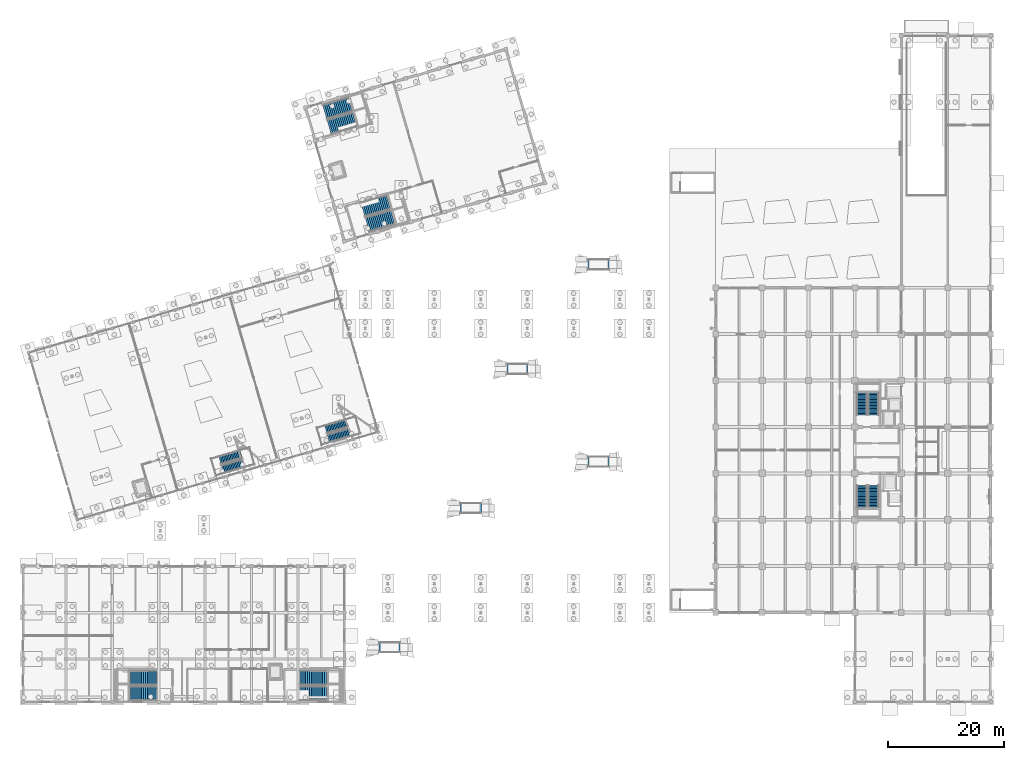
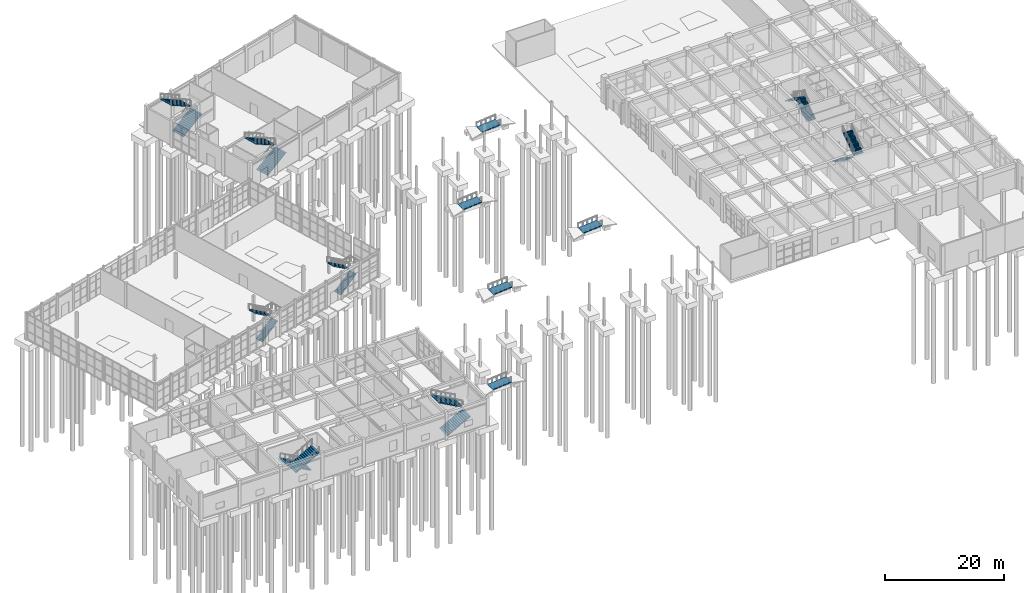
# One storey, part 79 of 90: 16 stair flights, 5 ramp flights, 13 elements without a shape of their own.
"""IFC4 building model written with IfcOpenShell, lengths in metres."""

from ifc_helpers import new_model, si_unit, direction, frame, origin, place, context, subcontext, project, spatial, polyline, outline, extrude, material, layer, layer_set, type_object, element, aggregate, save


model = new_model("IFC4")

# Units and contexts
model_context = context("Model", 3, precision=1e-05, world=origin(), true_north=direction((0.0, 1.0)))
body_context = subcontext(model_context, "Body", "Model", "MODEL_VIEW")
ifc_project = project(units=[si_unit("LENGTHUNIT", "METRE"), si_unit("AREAUNIT", "SQUARE_METRE"), si_unit("VOLUMEUNIT", "CUBIC_METRE"), si_unit("PLANEANGLEUNIT", "RADIAN"), si_unit("MASSUNIT", "GRAM", prefix="KILO")], contexts=[model_context])

# Site, building, storey
site_placement = place(None, origin())
site = spatial("IfcSite", under=ifc_project, at=site_placement, CompositionType="ELEMENT")
building_placement = place(site_placement, origin())
building = spatial("IfcBuilding", under=site, at=building_placement, Name="Canggui Botanical Conservatory", CompositionType="ELEMENT")
storey_placement = place(building_placement, origin())
storey = spatial("IfcBuildingStorey", under=building, at=storey_placement, Name="L01", CompositionType="ELEMENT", Elevation=0.0)

# Stair, stair flights
ifc_material = material(Name="Concrete C35", Category="concrete")
stair_type_1 = type_object("IfcStairType", Name="STR-TYPE-1", PredefinedType="HALF_TURN_STAIR", material=ifc_material)
stair_1_placement = place(storey_placement, origin())
stair_1 = element("IfcStair", 1, at=stair_1_placement, inside=storey, type_object=stair_type_1, Name="L01 Conservatory South Skywalk Stair ST-C1", PredefinedType="HALF_TURN_STAIR")
stair_flight_type_1 = type_object("IfcStairFlightType", Name="SFL-TYPE-1", PredefinedType="STRAIGHT", material=ifc_material)
stair_flight_1_placement = place(storey_placement, frame((45.02099609375, 50.677978515625, 0.0), z_axis=(0.0, 0.0, 1.0), x_axis=(0.959999998575, 0.280000004887, 0.0)))
stair_flight_1 = element("IfcStairFlight", 2, at=stair_flight_1_placement, type_object=stair_flight_type_1, Name="ST-C1 flight 1", NumberOfRisers=15, NumberOfTreads=14, PredefinedType="STRAIGHT", RiserHeight=0.18, TreadLength=0.27, context=body_context, shape_type="SweptSolid", body=[
    extrude(outline(polyline([(0.0, 0.0), (0.0, 0.179931640625), (0.27001953125, 0.179931640625), (0.27001953125, 0.360107421875), (0.5400390625, 0.360107421875), (0.5400390625, 0.5400390625), (0.81005859375, 0.5400390625), (0.81005859375, 0.719970703125), (1.080078125, 0.719970703125), (1.080078125, 0.89990234375), (1.35009765625, 0.89990234375), (1.35009765625, 1.080078125), (1.6201171875, 1.080078125), (1.6201171875, 1.260009765625), (1.889892578125, 1.260009765625), (1.889892578125, 1.43994140625), (2.159912109375, 1.43994140625), (2.159912109375, 1.6201171875), (2.429931640625, 1.6201171875), (2.429931640625, 1.800048828125), (2.699951171875, 1.800048828125), (2.699951171875, 1.97998046875), (2.969970703125, 1.97998046875), (2.969970703125, 2.159912109375), (3.239990234375, 2.159912109375), (3.239990234375, 2.340087890625), (3.510009765625, 2.340087890625), (3.510009765625, 2.52001953125), (3.780029296875, 2.52001953125), (3.780029296875, 2.699951171875), (3.780029296875, 2.33984375), (0.270263671875, 0.0), (0.0, 0.0)])), frame((0.0, 0.72509765625, 0.0), z_axis=(0.0, -1.0, 0.0), x_axis=(1.0, 0.0, 0.0)), (0.0, 0.0, 1.0), 1.449951171875),
])
stair_flight_2_placement = place(storey_placement, frame((48.187744140625, 53.3203125, 2.699951171875), z_axis=(0.0, 0.0, 1.0), x_axis=(-0.959999998575, -0.280000004887, 0.0)))
stair_flight_2 = element("IfcStairFlight", 3, at=stair_flight_2_placement, type_object=stair_flight_type_1, Name="ST-C1 flight 2", NumberOfRisers=15, NumberOfTreads=14, PredefinedType="STRAIGHT", RiserHeight=0.18, TreadLength=0.27, context=body_context, shape_type="SweptSolid", body=[
    extrude(outline(polyline([(0.0, 0.0), (0.0, 0.179931640625), (0.27001953125, 0.179931640625), (0.27001953125, 0.360107421875), (0.5400390625, 0.360107421875), (0.5400390625, 0.5400390625), (0.81005859375, 0.5400390625), (0.81005859375, 0.719970703125), (1.080078125, 0.719970703125), (1.080078125, 0.89990234375), (1.35009765625, 0.89990234375), (1.35009765625, 1.080078125), (1.6201171875, 1.080078125), (1.6201171875, 1.260009765625), (1.889892578125, 1.260009765625), (1.889892578125, 1.43994140625), (2.159912109375, 1.43994140625), (2.159912109375, 1.6201171875), (2.429931640625, 1.6201171875), (2.429931640625, 1.800048828125), (2.699951171875, 1.800048828125), (2.699951171875, 1.97998046875), (2.969970703125, 1.97998046875), (2.969970703125, 2.159912109375), (3.239990234375, 2.159912109375), (3.239990234375, 2.340087890625), (3.510009765625, 2.340087890625), (3.510009765625, 2.52001953125), (3.780029296875, 2.52001953125), (3.780029296875, 2.699951171875), (3.780029296875, 2.33984375), (0.270263671875, 0.0), (0.0, 0.0)])), frame((0.0, 0.72509765625, 0.0), z_axis=(0.0, -1.0, 0.0), x_axis=(1.0, 0.0, 0.0)), (0.0, 0.0, 1.0), 1.449951171875),
])
aggregate(stair_1, [stair_flight_1, stair_flight_2])

stair_2_placement = place(storey_placement, origin())
stair_2 = element("IfcStair", 4, at=stair_2_placement, inside=storey, type_object=stair_type_1, Name="L01 Conservatory North Skywalk Stair ST-C2", PredefinedType="HALF_TURN_STAIR")
stair_flight_3_placement = place(storey_placement, frame((63.260986328125, 55.998046875, 0.0), z_axis=(0.0, 0.0, 1.0), x_axis=(0.959999998575, 0.280000004887, 0.0)))
stair_flight_3 = element("IfcStairFlight", 5, at=stair_flight_3_placement, type_object=stair_flight_type_1, Name="ST-C2 flight 1", NumberOfRisers=15, NumberOfTreads=14, PredefinedType="STRAIGHT", RiserHeight=0.18, TreadLength=0.27, context=body_context, shape_type="SweptSolid", body=[
    extrude(outline(polyline([(0.0, 0.0), (0.0, 0.179931640625), (0.27001953125, 0.179931640625), (0.27001953125, 0.360107421875), (0.5400390625, 0.360107421875), (0.5400390625, 0.5400390625), (0.81005859375, 0.5400390625), (0.81005859375, 0.719970703125), (1.080078125, 0.719970703125), (1.080078125, 0.89990234375), (1.35009765625, 0.89990234375), (1.35009765625, 1.080078125), (1.6201171875, 1.080078125), (1.6201171875, 1.260009765625), (1.889892578125, 1.260009765625), (1.889892578125, 1.43994140625), (2.159912109375, 1.43994140625), (2.159912109375, 1.6201171875), (2.429931640625, 1.6201171875), (2.429931640625, 1.800048828125), (2.699951171875, 1.800048828125), (2.699951171875, 1.97998046875), (2.969970703125, 1.97998046875), (2.969970703125, 2.159912109375), (3.239990234375, 2.159912109375), (3.239990234375, 2.340087890625), (3.510009765625, 2.340087890625), (3.510009765625, 2.52001953125), (3.780029296875, 2.52001953125), (3.780029296875, 2.699951171875), (3.780029296875, 2.33984375), (0.270263671875, 0.0), (0.0, 0.0)])), frame((0.0, 0.72509765625, 0.0), z_axis=(0.0, -1.0, 0.0), x_axis=(1.0, 0.0, 0.0)), (0.0, 0.0, 1.0), 1.449951171875),
])
stair_flight_4_placement = place(storey_placement, frame((66.427734375, 58.640380859375, 2.699951171875), z_axis=(0.0, 0.0, 1.0), x_axis=(-0.959999998575, -0.280000004887, 0.0)))
stair_flight_4 = element("IfcStairFlight", 6, at=stair_flight_4_placement, type_object=stair_flight_type_1, Name="ST-C2 flight 2", NumberOfRisers=15, NumberOfTreads=14, PredefinedType="STRAIGHT", RiserHeight=0.18, TreadLength=0.27, context=body_context, shape_type="SweptSolid", body=[
    extrude(outline(polyline([(0.0, 0.0), (0.0, 0.179931640625), (0.27001953125, 0.179931640625), (0.27001953125, 0.360107421875), (0.5400390625, 0.360107421875), (0.5400390625, 0.5400390625), (0.81005859375, 0.5400390625), (0.81005859375, 0.719970703125), (1.080078125, 0.719970703125), (1.080078125, 0.89990234375), (1.35009765625, 0.89990234375), (1.35009765625, 1.080078125), (1.6201171875, 1.080078125), (1.6201171875, 1.260009765625), (1.889892578125, 1.260009765625), (1.889892578125, 1.43994140625), (2.159912109375, 1.43994140625), (2.159912109375, 1.6201171875), (2.429931640625, 1.6201171875), (2.429931640625, 1.800048828125), (2.699951171875, 1.800048828125), (2.699951171875, 1.97998046875), (2.969970703125, 1.97998046875), (2.969970703125, 2.159912109375), (3.239990234375, 2.159912109375), (3.239990234375, 2.340087890625), (3.510009765625, 2.340087890625), (3.510009765625, 2.52001953125), (3.780029296875, 2.52001953125), (3.780029296875, 2.699951171875), (3.780029296875, 2.33984375), (0.270263671875, 0.0), (0.0, 0.0)])), frame((0.0, 0.72509765625, 0.0), z_axis=(0.0, -1.0, 0.0), x_axis=(1.0, 0.0, 0.0)), (0.0, 0.0, 1.0), 1.449951171875),
])
aggregate(stair_2, [stair_flight_3, stair_flight_4])

stair_type_2 = type_object("IfcStairType", Name="STR-TYPE-3", PredefinedType="HALF_TURN_STAIR", material=ifc_material)
stair_3_placement = place(storey_placement, origin())
stair_3 = element("IfcStair", 7, at=stair_3_placement, inside=storey, type_object=stair_type_2, Name="L01 Tower South Smoke-Proof Stair ST-T1", PredefinedType="HALF_TURN_STAIR")
stair_flight_type_2 = type_object("IfcStairFlightType", Name="SFL-TYPE-3", PredefinedType="STRAIGHT", material=ifc_material)
stair_flight_5_placement = place(storey_placement, frame((155.2099609375, 47.919921875, 0.0), z_axis=(0.0, 0.0, 1.0), x_axis=(0.0, -1.0, 0.0)))
stair_flight_5 = element("IfcStairFlight", 8, at=stair_flight_5_placement, type_object=stair_flight_type_2, Name="ST-T1 flight 1", NumberOfRisers=15, NumberOfTreads=14, PredefinedType="STRAIGHT", RiserHeight=0.18, TreadLength=0.268, context=body_context, shape_type="SweptSolid", body=[
    extrude(outline(polyline([(0.0, 0.0), (0.0, 0.179931640625), (0.26806640625, 0.179931640625), (0.26806640625, 0.360107421875), (0.535888671875, 0.360107421875), (0.535888671875, 0.5400390625), (0.803955078125, 0.5400390625), (0.803955078125, 0.719970703125), (1.072021484375, 0.719970703125), (1.072021484375, 0.89990234375), (1.340087890625, 0.89990234375), (1.340087890625, 1.080078125), (1.60791015625, 1.080078125), (1.60791015625, 1.260009765625), (1.8759765625, 1.260009765625), (1.8759765625, 1.43994140625), (2.14404296875, 1.43994140625), (2.14404296875, 1.6201171875), (2.412109375, 1.6201171875), (2.412109375, 1.800048828125), (2.679931640625, 1.800048828125), (2.679931640625, 1.97998046875), (2.947998046875, 1.97998046875), (2.947998046875, 2.159912109375), (3.216064453125, 2.159912109375), (3.216064453125, 2.340087890625), (3.48388671875, 2.340087890625), (3.48388671875, 2.52001953125), (3.751953125, 2.52001953125), (3.751953125, 2.699951171875), (3.751953125, 2.375244140625), (0.21533203125, 0.0), (0.0, 0.0)])), frame((0.0, 0.91015625, 0.0), z_axis=(0.0, -1.0, 0.0), x_axis=(1.0, 0.0, 0.0)), (0.0, 0.0, 1.0), 1.820068359375),
])
stair_flight_6_placement = place(storey_placement, frame((157.2099609375, 44.16796875, 2.699951171875), z_axis=(0.0, 0.0, 1.0), x_axis=(0.0, 1.0, 0.0)))
stair_flight_6 = element("IfcStairFlight", 9, at=stair_flight_6_placement, type_object=stair_flight_type_2, Name="ST-T1 flight 2", NumberOfRisers=15, NumberOfTreads=14, PredefinedType="STRAIGHT", RiserHeight=0.18, TreadLength=0.268, context=body_context, shape_type="SweptSolid", body=[
    extrude(outline(polyline([(0.0, 0.0), (0.0, 0.179931640625), (0.26806640625, 0.179931640625), (0.26806640625, 0.360107421875), (0.535888671875, 0.360107421875), (0.535888671875, 0.5400390625), (0.803955078125, 0.5400390625), (0.803955078125, 0.719970703125), (1.072021484375, 0.719970703125), (1.072021484375, 0.89990234375), (1.340087890625, 0.89990234375), (1.340087890625, 1.080078125), (1.60791015625, 1.080078125), (1.60791015625, 1.260009765625), (1.8759765625, 1.260009765625), (1.8759765625, 1.43994140625), (2.14404296875, 1.43994140625), (2.14404296875, 1.6201171875), (2.412109375, 1.6201171875), (2.412109375, 1.800048828125), (2.679931640625, 1.800048828125), (2.679931640625, 1.97998046875), (2.947998046875, 1.97998046875), (2.947998046875, 2.159912109375), (3.216064453125, 2.159912109375), (3.216064453125, 2.340087890625), (3.48388671875, 2.340087890625), (3.48388671875, 2.52001953125), (3.751953125, 2.52001953125), (3.751953125, 2.699951171875), (3.751953125, 2.375244140625), (0.21533203125, 0.0), (0.0, 0.0)])), frame((0.0, 0.91015625, 0.0), z_axis=(0.0, -1.0, 0.0), x_axis=(1.0, 0.0, 0.0)), (0.0, 0.0, 1.0), 1.820068359375),
])
aggregate(stair_3, [stair_flight_5, stair_flight_6])

stair_4_placement = place(storey_placement, origin())
stair_4 = element("IfcStair", 10, at=stair_4_placement, inside=storey, type_object=stair_type_2, Name="L01 Tower North Smoke-Proof Stair ST-T2", PredefinedType="HALF_TURN_STAIR")
stair_flight_7_placement = place(storey_placement, frame((157.2099609375, 60.080078125, 0.0), z_axis=(0.0, 0.0, 1.0), x_axis=(0.0, 1.0, 0.0)))
stair_flight_7 = element("IfcStairFlight", 11, at=stair_flight_7_placement, type_object=stair_flight_type_2, Name="ST-T2 flight 1", NumberOfRisers=15, NumberOfTreads=14, PredefinedType="STRAIGHT", RiserHeight=0.18, TreadLength=0.268, context=body_context, shape_type="SweptSolid", body=[
    extrude(outline(polyline([(0.0, 0.0), (0.0, 0.179931640625), (0.26806640625, 0.179931640625), (0.26806640625, 0.360107421875), (0.535888671875, 0.360107421875), (0.535888671875, 0.5400390625), (0.803955078125, 0.5400390625), (0.803955078125, 0.719970703125), (1.072021484375, 0.719970703125), (1.072021484375, 0.89990234375), (1.340087890625, 0.89990234375), (1.340087890625, 1.080078125), (1.60791015625, 1.080078125), (1.60791015625, 1.260009765625), (1.8759765625, 1.260009765625), (1.8759765625, 1.43994140625), (2.14404296875, 1.43994140625), (2.14404296875, 1.6201171875), (2.412109375, 1.6201171875), (2.412109375, 1.800048828125), (2.679931640625, 1.800048828125), (2.679931640625, 1.97998046875), (2.947998046875, 1.97998046875), (2.947998046875, 2.159912109375), (3.216064453125, 2.159912109375), (3.216064453125, 2.340087890625), (3.48388671875, 2.340087890625), (3.48388671875, 2.52001953125), (3.751953125, 2.52001953125), (3.751953125, 2.699951171875), (3.751953125, 2.375244140625), (0.21533203125, 0.0), (0.0, 0.0)])), frame((0.0, 0.91015625, 0.0), z_axis=(0.0, -1.0, 0.0), x_axis=(1.0, 0.0, 0.0)), (0.0, 0.0, 1.0), 1.820068359375),
])
stair_flight_8_placement = place(storey_placement, frame((155.2099609375, 63.83203125, 2.699951171875), z_axis=(0.0, 0.0, 1.0), x_axis=(0.0, -1.0, 0.0)))
stair_flight_8 = element("IfcStairFlight", 12, at=stair_flight_8_placement, type_object=stair_flight_type_2, Name="ST-T2 flight 2", NumberOfRisers=15, NumberOfTreads=14, PredefinedType="STRAIGHT", RiserHeight=0.18, TreadLength=0.268, context=body_context, shape_type="SweptSolid", body=[
    extrude(outline(polyline([(0.0, 0.0), (0.0, 0.179931640625), (0.26806640625, 0.179931640625), (0.26806640625, 0.360107421875), (0.535888671875, 0.360107421875), (0.535888671875, 0.5400390625), (0.803955078125, 0.5400390625), (0.803955078125, 0.719970703125), (1.072021484375, 0.719970703125), (1.072021484375, 0.89990234375), (1.340087890625, 0.89990234375), (1.340087890625, 1.080078125), (1.60791015625, 1.080078125), (1.60791015625, 1.260009765625), (1.8759765625, 1.260009765625), (1.8759765625, 1.43994140625), (2.14404296875, 1.43994140625), (2.14404296875, 1.6201171875), (2.412109375, 1.6201171875), (2.412109375, 1.800048828125), (2.679931640625, 1.800048828125), (2.679931640625, 1.97998046875), (2.947998046875, 1.97998046875), (2.947998046875, 2.159912109375), (3.216064453125, 2.159912109375), (3.216064453125, 2.340087890625), (3.48388671875, 2.340087890625), (3.48388671875, 2.52001953125), (3.751953125, 2.52001953125), (3.751953125, 2.699951171875), (3.751953125, 2.375244140625), (0.21533203125, 0.0), (0.0, 0.0)])), frame((0.0, 0.91015625, 0.0), z_axis=(0.0, -1.0, 0.0), x_axis=(1.0, 0.0, 0.0)), (0.0, 0.0, 1.0), 1.820068359375),
])
aggregate(stair_4, [stair_flight_7, stair_flight_8])

stair_type_3 = type_object("IfcStairType", Name="STR-TYPE-7", PredefinedType="HALF_TURN_STAIR", material=ifc_material)
stair_5_placement = place(storey_placement, origin())
stair_5 = element("IfcStair", 13, at=stair_5_placement, inside=storey, type_object=stair_type_3, Name="L01 Visitor Centre East Stair ST-V1", PredefinedType="HALF_TURN_STAIR")
stair_flight_type_3 = type_object("IfcStairFlightType", Name="SFL-TYPE-7", PredefinedType="STRAIGHT", material=ifc_material)
stair_flight_9_placement = place(storey_placement, frame((58.35009765625, 12.054931640625, 0.0), z_axis=(0.0, 0.0, 1.0), x_axis=(1.0, 0.0, 0.0)))
stair_flight_9 = element("IfcStairFlight", 14, at=stair_flight_9_placement, type_object=stair_flight_type_3, Name="ST-V1 flight 1", NumberOfRisers=15, NumberOfTreads=14, PredefinedType="STRAIGHT", RiserHeight=0.18, TreadLength=0.325, context=body_context, shape_type="SweptSolid", body=[
    extrude(outline(polyline([(0.0, 0.0), (0.0, 0.179931640625), (0.324951171875, 0.179931640625), (0.324951171875, 0.360107421875), (0.64990234375, 0.360107421875), (0.64990234375, 0.5400390625), (0.97509765625, 0.5400390625), (0.97509765625, 0.719970703125), (1.300048828125, 0.719970703125), (1.300048828125, 0.89990234375), (1.625, 0.89990234375), (1.625, 1.080078125), (1.949951171875, 1.080078125), (1.949951171875, 1.260009765625), (2.27490234375, 1.260009765625), (2.27490234375, 1.43994140625), (2.60009765625, 1.43994140625), (2.60009765625, 1.6201171875), (2.925048828125, 1.6201171875), (2.925048828125, 1.800048828125), (3.25, 1.800048828125), (3.25, 1.97998046875), (3.574951171875, 1.97998046875), (3.574951171875, 2.159912109375), (3.89990234375, 2.159912109375), (3.89990234375, 2.340087890625), (4.22509765625, 2.340087890625), (4.22509765625, 2.52001953125), (4.550048828125, 2.52001953125), (4.550048828125, 2.699951171875), (4.550048828125, 2.3828125), (0.247802734375, 0.0), (0.0, 0.0)])), frame((0.0, 1.27490234375, 0.0), z_axis=(0.0, -1.0, 0.0), x_axis=(1.0, 0.0, 0.0)), (0.0, 0.0, 1.0), 2.550048828125),
])
stair_flight_10_placement = place(storey_placement, frame((62.89990234375, 14.764892578125, 2.699951171875), z_axis=(0.0, 0.0, 1.0), x_axis=(-1.0, 0.0, 0.0)))
stair_flight_10 = element("IfcStairFlight", 15, at=stair_flight_10_placement, type_object=stair_flight_type_3, Name="ST-V1 flight 2", NumberOfRisers=15, NumberOfTreads=14, PredefinedType="STRAIGHT", RiserHeight=0.18, TreadLength=0.325, context=body_context, shape_type="SweptSolid", body=[
    extrude(outline(polyline([(0.0, 0.0), (0.0, 0.179931640625), (0.324951171875, 0.179931640625), (0.324951171875, 0.360107421875), (0.64990234375, 0.360107421875), (0.64990234375, 0.5400390625), (0.97509765625, 0.5400390625), (0.97509765625, 0.719970703125), (1.300048828125, 0.719970703125), (1.300048828125, 0.89990234375), (1.625, 0.89990234375), (1.625, 1.080078125), (1.949951171875, 1.080078125), (1.949951171875, 1.260009765625), (2.27490234375, 1.260009765625), (2.27490234375, 1.43994140625), (2.60009765625, 1.43994140625), (2.60009765625, 1.6201171875), (2.925048828125, 1.6201171875), (2.925048828125, 1.800048828125), (3.25, 1.800048828125), (3.25, 1.97998046875), (3.574951171875, 1.97998046875), (3.574951171875, 2.159912109375), (3.89990234375, 2.159912109375), (3.89990234375, 2.340087890625), (4.22509765625, 2.340087890625), (4.22509765625, 2.52001953125), (4.550048828125, 2.52001953125), (4.550048828125, 2.699951171875), (4.550048828125, 2.3828125), (0.247802734375, 0.0), (0.0, 0.0)])), frame((0.0, 1.27490234375, 0.0), z_axis=(0.0, -1.0, 0.0), x_axis=(1.0, 0.0, 0.0)), (0.0, 0.0, 1.0), 2.550048828125),
])
aggregate(stair_5, [stair_flight_9, stair_flight_10])

stair_6_placement = place(storey_placement, origin())
stair_6 = element("IfcStair", 16, at=stair_6_placement, inside=storey, type_object=stair_type_3, Name="L01 Visitor Centre West Stair ST-V2", PredefinedType="HALF_TURN_STAIR")
stair_flight_11_placement = place(storey_placement, frame((33.64990234375, 14.764892578125, 0.0), z_axis=(0.0, 0.0, 1.0), x_axis=(-1.0, 0.0, 0.0)))
stair_flight_11 = element("IfcStairFlight", 17, at=stair_flight_11_placement, type_object=stair_flight_type_3, Name="ST-V2 flight 1", NumberOfRisers=15, NumberOfTreads=14, PredefinedType="STRAIGHT", RiserHeight=0.18, TreadLength=0.325, context=body_context, shape_type="SweptSolid", body=[
    extrude(outline(polyline([(0.0, 0.0), (0.0, 0.179931640625), (0.324951171875, 0.179931640625), (0.324951171875, 0.360107421875), (0.64990234375, 0.360107421875), (0.64990234375, 0.5400390625), (0.97509765625, 0.5400390625), (0.97509765625, 0.719970703125), (1.300048828125, 0.719970703125), (1.300048828125, 0.89990234375), (1.625, 0.89990234375), (1.625, 1.080078125), (1.949951171875, 1.080078125), (1.949951171875, 1.260009765625), (2.27490234375, 1.260009765625), (2.27490234375, 1.43994140625), (2.60009765625, 1.43994140625), (2.60009765625, 1.6201171875), (2.925048828125, 1.6201171875), (2.925048828125, 1.800048828125), (3.25, 1.800048828125), (3.25, 1.97998046875), (3.574951171875, 1.97998046875), (3.574951171875, 2.159912109375), (3.89990234375, 2.159912109375), (3.89990234375, 2.340087890625), (4.22509765625, 2.340087890625), (4.22509765625, 2.52001953125), (4.550048828125, 2.52001953125), (4.550048828125, 2.699951171875), (4.550048828125, 2.3828125), (0.247802734375, 0.0), (0.0, 0.0)])), frame((0.0, 1.27490234375, 0.0), z_axis=(0.0, -1.0, 0.0), x_axis=(1.0, 0.0, 0.0)), (0.0, 0.0, 1.0), 2.550048828125),
])
stair_flight_12_placement = place(storey_placement, frame((29.10009765625, 12.054931640625, 2.699951171875), z_axis=(0.0, 0.0, 1.0), x_axis=(1.0, 0.0, 0.0)))
stair_flight_12 = element("IfcStairFlight", 18, at=stair_flight_12_placement, type_object=stair_flight_type_3, Name="ST-V2 flight 2", NumberOfRisers=15, NumberOfTreads=14, PredefinedType="STRAIGHT", RiserHeight=0.18, TreadLength=0.325, context=body_context, shape_type="SweptSolid", body=[
    extrude(outline(polyline([(0.0, 0.0), (0.0, 0.179931640625), (0.324951171875, 0.179931640625), (0.324951171875, 0.360107421875), (0.64990234375, 0.360107421875), (0.64990234375, 0.5400390625), (0.97509765625, 0.5400390625), (0.97509765625, 0.719970703125), (1.300048828125, 0.719970703125), (1.300048828125, 0.89990234375), (1.625, 0.89990234375), (1.625, 1.080078125), (1.949951171875, 1.080078125), (1.949951171875, 1.260009765625), (2.27490234375, 1.260009765625), (2.27490234375, 1.43994140625), (2.60009765625, 1.43994140625), (2.60009765625, 1.6201171875), (2.925048828125, 1.6201171875), (2.925048828125, 1.800048828125), (3.25, 1.800048828125), (3.25, 1.97998046875), (3.574951171875, 1.97998046875), (3.574951171875, 2.159912109375), (3.89990234375, 2.159912109375), (3.89990234375, 2.340087890625), (4.22509765625, 2.340087890625), (4.22509765625, 2.52001953125), (4.550048828125, 2.52001953125), (4.550048828125, 2.699951171875), (4.550048828125, 2.3828125), (0.247802734375, 0.0), (0.0, 0.0)])), frame((0.0, 1.27490234375, 0.0), z_axis=(0.0, -1.0, 0.0), x_axis=(1.0, 0.0, 0.0)), (0.0, 0.0, 1.0), 2.550048828125),
])
aggregate(stair_6, [stair_flight_11, stair_flight_12])

stair_7_placement = place(storey_placement, origin())
stair_7 = element("IfcStair", 19, at=stair_7_placement, inside=storey, type_object=stair_type_3, Name="L01 Auditorium West Balcony Stair ST-A1", PredefinedType="HALF_TURN_STAIR")
stair_flight_13_placement = place(storey_placement, frame((69.955322265625, 92.8671875, 0.0), z_axis=(0.0, 0.0, 1.0), x_axis=(0.959999998575, 0.280000004887, 0.0)))
stair_flight_13 = element("IfcStairFlight", 20, at=stair_flight_13_placement, type_object=stair_flight_type_3, Name="ST-A1 flight 1", NumberOfRisers=15, NumberOfTreads=14, PredefinedType="STRAIGHT", RiserHeight=0.18, TreadLength=0.325, context=body_context, shape_type="SweptSolid", body=[
    extrude(outline(polyline([(0.0, 0.0), (0.0, 0.179931640625), (0.324951171875, 0.179931640625), (0.324951171875, 0.360107421875), (0.64990234375, 0.360107421875), (0.64990234375, 0.5400390625), (0.97509765625, 0.5400390625), (0.97509765625, 0.719970703125), (1.300048828125, 0.719970703125), (1.300048828125, 0.89990234375), (1.625, 0.89990234375), (1.625, 1.080078125), (1.949951171875, 1.080078125), (1.949951171875, 1.260009765625), (2.27490234375, 1.260009765625), (2.27490234375, 1.43994140625), (2.60009765625, 1.43994140625), (2.60009765625, 1.6201171875), (2.925048828125, 1.6201171875), (2.925048828125, 1.800048828125), (3.25, 1.800048828125), (3.25, 1.97998046875), (3.574951171875, 1.97998046875), (3.574951171875, 2.159912109375), (3.89990234375, 2.159912109375), (3.89990234375, 2.340087890625), (4.22509765625, 2.340087890625), (4.22509765625, 2.52001953125), (4.550048828125, 2.52001953125), (4.550048828125, 2.699951171875), (4.550048828125, 2.3828125), (0.247802734375, 0.0), (0.0, 0.0)])), frame((0.0, 1.27490234375, 0.0), z_axis=(0.0, -1.0, 0.0), x_axis=(1.0, 0.0, 0.0)), (0.0, 0.0, 1.0), 2.550048828125),
])
stair_flight_14_placement = place(storey_placement, frame((73.564697265625, 96.742919921875, 2.699951171875), z_axis=(0.0, 0.0, 1.0), x_axis=(-0.959999998575, -0.280000004887, 0.0)))
stair_flight_14 = element("IfcStairFlight", 21, at=stair_flight_14_placement, type_object=stair_flight_type_3, Name="ST-A1 flight 2", NumberOfRisers=15, NumberOfTreads=14, PredefinedType="STRAIGHT", RiserHeight=0.18, TreadLength=0.325, context=body_context, shape_type="SweptSolid", body=[
    extrude(outline(polyline([(0.0, 0.0), (0.0, 0.179931640625), (0.324951171875, 0.179931640625), (0.324951171875, 0.360107421875), (0.64990234375, 0.360107421875), (0.64990234375, 0.5400390625), (0.97509765625, 0.5400390625), (0.97509765625, 0.719970703125), (1.300048828125, 0.719970703125), (1.300048828125, 0.89990234375), (1.625, 0.89990234375), (1.625, 1.080078125), (1.949951171875, 1.080078125), (1.949951171875, 1.260009765625), (2.27490234375, 1.260009765625), (2.27490234375, 1.43994140625), (2.60009765625, 1.43994140625), (2.60009765625, 1.6201171875), (2.925048828125, 1.6201171875), (2.925048828125, 1.800048828125), (3.25, 1.800048828125), (3.25, 1.97998046875), (3.574951171875, 1.97998046875), (3.574951171875, 2.159912109375), (3.89990234375, 2.159912109375), (3.89990234375, 2.340087890625), (4.22509765625, 2.340087890625), (4.22509765625, 2.52001953125), (4.550048828125, 2.52001953125), (4.550048828125, 2.699951171875), (4.550048828125, 2.3828125), (0.247802734375, 0.0), (0.0, 0.0)])), frame((0.0, 1.27490234375, 0.0), z_axis=(0.0, -1.0, 0.0), x_axis=(1.0, 0.0, 0.0)), (0.0, 0.0, 1.0), 2.550048828125),
])
aggregate(stair_7, [stair_flight_13, stair_flight_14])

stair_8_placement = place(storey_placement, origin())
stair_8 = element("IfcStair", 22, at=stair_8_placement, inside=storey, type_object=stair_type_3, Name="L01 Auditorium East Balcony Stair ST-A2", PredefinedType="HALF_TURN_STAIR")
stair_flight_15_placement = place(storey_placement, frame((63.37939453125, 109.69921875, 0.0), z_axis=(0.0, 0.0, 1.0), x_axis=(0.959999998575, 0.280000004887, 0.0)))
stair_flight_15 = element("IfcStairFlight", 23, at=stair_flight_15_placement, type_object=stair_flight_type_3, Name="ST-A2 flight 1", NumberOfRisers=15, NumberOfTreads=14, PredefinedType="STRAIGHT", RiserHeight=0.18, TreadLength=0.325, context=body_context, shape_type="SweptSolid", body=[
    extrude(outline(polyline([(0.0, 0.0), (0.0, 0.179931640625), (0.324951171875, 0.179931640625), (0.324951171875, 0.360107421875), (0.64990234375, 0.360107421875), (0.64990234375, 0.5400390625), (0.97509765625, 0.5400390625), (0.97509765625, 0.719970703125), (1.300048828125, 0.719970703125), (1.300048828125, 0.89990234375), (1.625, 0.89990234375), (1.625, 1.080078125), (1.949951171875, 1.080078125), (1.949951171875, 1.260009765625), (2.27490234375, 1.260009765625), (2.27490234375, 1.43994140625), (2.60009765625, 1.43994140625), (2.60009765625, 1.6201171875), (2.925048828125, 1.6201171875), (2.925048828125, 1.800048828125), (3.25, 1.800048828125), (3.25, 1.97998046875), (3.574951171875, 1.97998046875), (3.574951171875, 2.159912109375), (3.89990234375, 2.159912109375), (3.89990234375, 2.340087890625), (4.22509765625, 2.340087890625), (4.22509765625, 2.52001953125), (4.550048828125, 2.52001953125), (4.550048828125, 2.699951171875), (4.550048828125, 2.3828125), (0.247802734375, 0.0), (0.0, 0.0)])), frame((0.0, 1.27490234375, 0.0), z_axis=(0.0, -1.0, 0.0), x_axis=(1.0, 0.0, 0.0)), (0.0, 0.0, 1.0), 2.550048828125),
])
stair_flight_16_placement = place(storey_placement, frame((66.988525390625, 113.57470703125, 2.699951171875), z_axis=(0.0, 0.0, 1.0), x_axis=(-0.959999998575, -0.280000004887, 0.0)))
stair_flight_16 = element("IfcStairFlight", 24, at=stair_flight_16_placement, type_object=stair_flight_type_3, Name="ST-A2 flight 2", NumberOfRisers=15, NumberOfTreads=14, PredefinedType="STRAIGHT", RiserHeight=0.18, TreadLength=0.325, context=body_context, shape_type="SweptSolid", body=[
    extrude(outline(polyline([(0.0, 0.0), (0.0, 0.179931640625), (0.324951171875, 0.179931640625), (0.324951171875, 0.360107421875), (0.64990234375, 0.360107421875), (0.64990234375, 0.5400390625), (0.97509765625, 0.5400390625), (0.97509765625, 0.719970703125), (1.300048828125, 0.719970703125), (1.300048828125, 0.89990234375), (1.625, 0.89990234375), (1.625, 1.080078125), (1.949951171875, 1.080078125), (1.949951171875, 1.260009765625), (2.27490234375, 1.260009765625), (2.27490234375, 1.43994140625), (2.60009765625, 1.43994140625), (2.60009765625, 1.6201171875), (2.925048828125, 1.6201171875), (2.925048828125, 1.800048828125), (3.25, 1.800048828125), (3.25, 1.97998046875), (3.574951171875, 1.97998046875), (3.574951171875, 2.159912109375), (3.89990234375, 2.159912109375), (3.89990234375, 2.340087890625), (4.22509765625, 2.340087890625), (4.22509765625, 2.52001953125), (4.550048828125, 2.52001953125), (4.550048828125, 2.699951171875), (4.550048828125, 2.3828125), (0.247802734375, 0.0), (0.0, 0.0)])), frame((0.0, 1.27490234375, 0.0), z_axis=(0.0, -1.0, 0.0), x_axis=(1.0, 0.0, 0.0)), (0.0, 0.0, 1.0), 2.550048828125),
])
aggregate(stair_8, [stair_flight_15, stair_flight_16])

# Ramp, ramp flight
ramp_type = type_object("IfcRampType", Name="RMP-PED-180", PredefinedType="STRAIGHT_RUN_RAMP", material=ifc_material)
ramp_1_placement = place(storey_placement, origin())
ramp_1 = element("IfcRamp", 25, at=ramp_1_placement, inside=storey, type_object=ramp_type, Name="Visitor Forecourt Step-Free Accessible Ramp PR-01", PredefinedType="STRAIGHT_RUN_RAMP")
ifc_layer = layer(ifc_material, 0.179931640625, Name="Concrete C35", Category="concrete")
ifc_layer_set = layer_set([ifc_layer], Name="Concrete C35")
ramp_flight_type = type_object("IfcRampFlightType", Name="RFL-PED-180", PredefinedType="STRAIGHT", material=ifc_layer_set)
ramp_flight_1_placement = place(storey_placement, frame((72.0, 20.0, -0.300048828125), z_axis=(0.0, 0.0, 1.0), x_axis=(1.0, 0.0, 0.0)))
ramp_flight_1 = element("IfcRampFlight", 26, at=ramp_flight_1_placement, type_object=ramp_flight_type, Name="Visitor Forecourt Step-Free Accessible Ramp PR-01 Flight", PredefinedType="STRAIGHT", context=body_context, shape_type="SweptSolid", body=[
    extrude(outline(polyline([(0.0, 0.0), (3.60009765625, 0.300048828125), (3.60009765625, 0.1201171875), (0.0, -0.179931640625), (0.0, 0.0)])), frame((0.0, 0.89990234375, 0.0), z_axis=(0.0, -1.0, 0.0), x_axis=(1.0, 0.0, 0.0)), (0.0, 0.0, 1.0), 1.800048828125),
])
aggregate(ramp_1, [ramp_flight_1])

ramp_2_placement = place(storey_placement, origin())
ramp_2 = element("IfcRamp", 27, at=ramp_2_placement, inside=storey, type_object=ramp_type, Name="Conservatory Courtyard Step-Free Accessible Ramp PR-02", PredefinedType="STRAIGHT_RUN_RAMP")
ramp_flight_2_placement = place(storey_placement, frame((86.0, 44.0, -0.300048828125), z_axis=(0.0, 0.0, 1.0), x_axis=(1.0, 0.0, 0.0)))
ramp_flight_2 = element("IfcRampFlight", 28, at=ramp_flight_2_placement, type_object=ramp_flight_type, Name="Conservatory Courtyard Step-Free Accessible Ramp PR-02 Flight", PredefinedType="STRAIGHT", context=body_context, shape_type="SweptSolid", body=[
    extrude(outline(polyline([(0.0, 0.0), (3.60009765625, 0.300048828125), (3.60009765625, 0.1201171875), (0.0, -0.179931640625), (0.0, 0.0)])), frame((0.0, 0.89990234375, 0.0), z_axis=(0.0, -1.0, 0.0), x_axis=(1.0, 0.0, 0.0)), (0.0, 0.0, 1.0), 1.800048828125),
])
aggregate(ramp_2, [ramp_flight_2])

ramp_3_placement = place(storey_placement, origin())
ramp_3 = element("IfcRamp", 29, at=ramp_3_placement, inside=storey, type_object=ramp_type, Name="Research Tower Forecourt Step-Free Accessible Ramp PR-03", PredefinedType="STRAIGHT_RUN_RAMP")
ramp_flight_3_placement = place(storey_placement, frame((108.0, 52.0, -0.300048828125), z_axis=(0.0, 0.0, 1.0), x_axis=(1.0, 0.0, 0.0)))
ramp_flight_3 = element("IfcRampFlight", 30, at=ramp_flight_3_placement, type_object=ramp_flight_type, Name="Research Tower Forecourt Step-Free Accessible Ramp PR-03 Flight", PredefinedType="STRAIGHT", context=body_context, shape_type="SweptSolid", body=[
    extrude(outline(polyline([(0.0, 0.0), (3.60009765625, 0.300048828125), (3.60009765625, 0.1201171875), (0.0, -0.179931640625), (0.0, 0.0)])), frame((0.0, 0.89990234375, 0.0), z_axis=(0.0, -1.0, 0.0), x_axis=(1.0, 0.0, 0.0)), (0.0, 0.0, 1.0), 1.800048828125),
])
aggregate(ramp_3, [ramp_flight_3])

ramp_4_placement = place(storey_placement, origin())
ramp_4 = element("IfcRamp", 31, at=ramp_4_placement, inside=storey, type_object=ramp_type, Name="Auditorium Courtyard Step-Free Accessible Ramp PR-04", PredefinedType="STRAIGHT_RUN_RAMP")
ramp_flight_4_placement = place(storey_placement, frame((108.0, 86.0, -0.300048828125), z_axis=(0.0, 0.0, 1.0), x_axis=(1.0, 0.0, 0.0)))
ramp_flight_4 = element("IfcRampFlight", 32, at=ramp_flight_4_placement, type_object=ramp_flight_type, Name="Auditorium Courtyard Step-Free Accessible Ramp PR-04 Flight", PredefinedType="STRAIGHT", context=body_context, shape_type="SweptSolid", body=[
    extrude(outline(polyline([(0.0, 0.0), (3.60009765625, 0.300048828125), (3.60009765625, 0.1201171875), (0.0, -0.179931640625), (0.0, 0.0)])), frame((0.0, 0.89990234375, 0.0), z_axis=(0.0, -1.0, 0.0), x_axis=(1.0, 0.0, 0.0)), (0.0, 0.0, 1.0), 1.800048828125),
])
aggregate(ramp_4, [ramp_flight_4])

ramp_5_placement = place(storey_placement, origin())
ramp_5 = element("IfcRamp", 33, at=ramp_5_placement, inside=storey, type_object=ramp_type, Name="Central Rail-Garden Step-Free Accessible Ramp PR-05", PredefinedType="STRAIGHT_RUN_RAMP")
ramp_flight_5_placement = place(storey_placement, frame((94.0, 68.0, -0.300048828125), z_axis=(0.0, 0.0, 1.0), x_axis=(1.0, 0.0, 0.0)))
ramp_flight_5 = element("IfcRampFlight", 34, at=ramp_flight_5_placement, type_object=ramp_flight_type, Name="Central Rail-Garden Step-Free Accessible Ramp PR-05 Flight", PredefinedType="STRAIGHT", context=body_context, shape_type="SweptSolid", body=[
    extrude(outline(polyline([(0.0, 0.0), (3.60009765625, 0.300048828125), (3.60009765625, 0.1201171875), (0.0, -0.179931640625), (0.0, 0.0)])), frame((0.0, 0.89990234375, 0.0), z_axis=(0.0, -1.0, 0.0), x_axis=(1.0, 0.0, 0.0)), (0.0, 0.0, 1.0), 1.800048828125),
])
aggregate(ramp_5, [ramp_flight_5])

save(model, "model.ifc")
